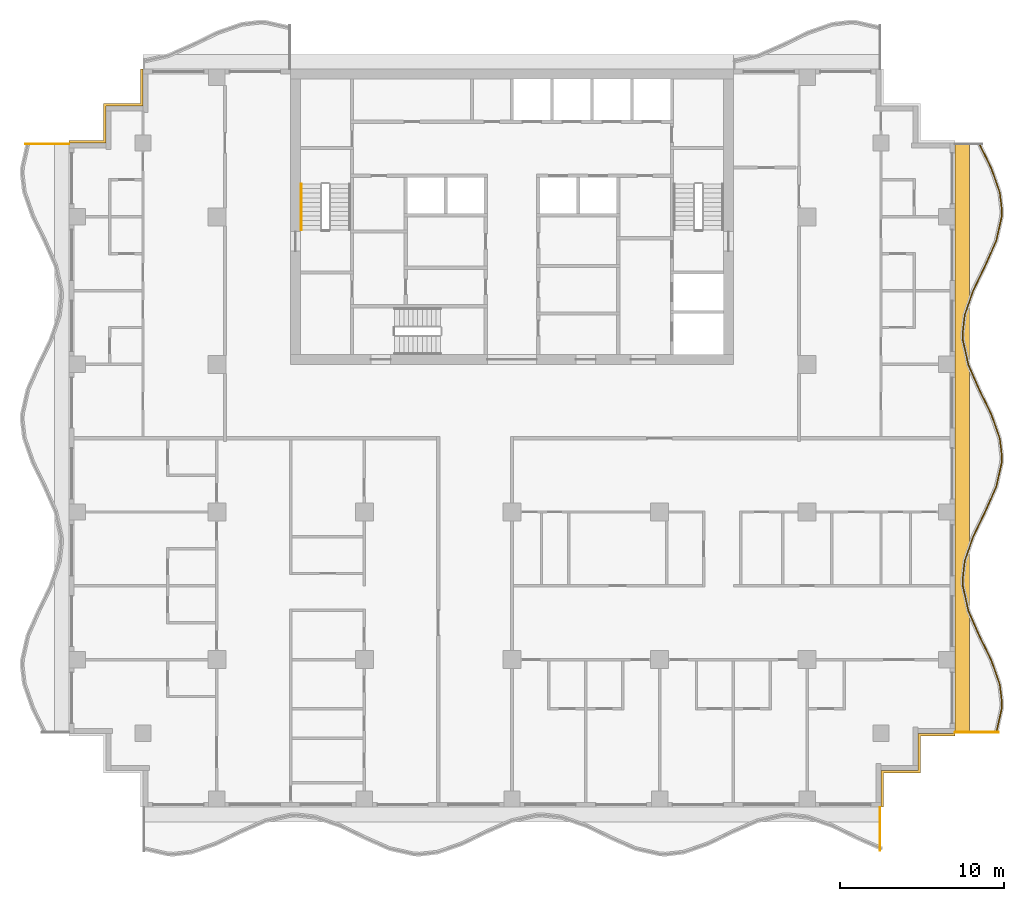
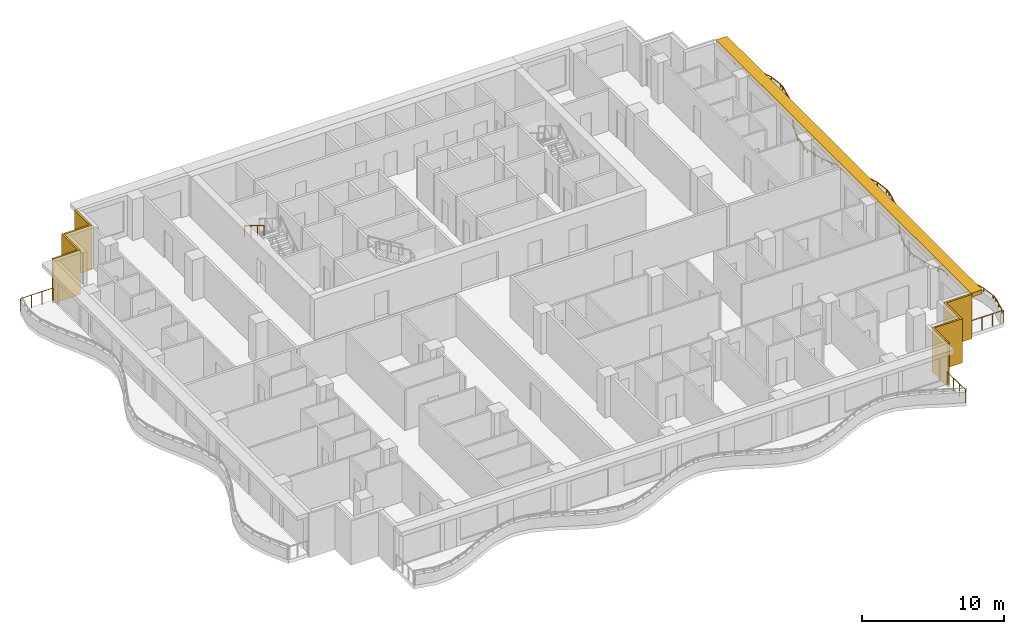
# One storey, part 11 of 12: 5 railings, 3 shading devices.
"""IFC4 building model written with IfcOpenShell, lengths in metres."""

from ifc_helpers import new_model, si_unit, direction, frame, origin, origin_2d, place, context, subcontext, project, spatial, polyline, rectangle, circle, outline, extrude, material, layer, layer_set, type_object, element, save


model = new_model("IFC4")

# Units and contexts
model_context = context("Model", 3, precision=1e-05, world=origin(), true_north=direction((0.0, 1.0)))
body_context = subcontext(model_context, "Body", "Model", "MODEL_VIEW")
ifc_project = project(units=[si_unit("LENGTHUNIT", "METRE"), si_unit("AREAUNIT", "SQUARE_METRE"), si_unit("VOLUMEUNIT", "CUBIC_METRE"), si_unit("PLANEANGLEUNIT", "RADIAN"), si_unit("MASSUNIT", "GRAM", prefix="KILO")], contexts=[model_context])

# Site, building, storey
site_placement = place(None, origin())
site = spatial("IfcSite", under=ifc_project, at=site_placement, CompositionType="ELEMENT")
building_placement = place(site_placement, origin())
building = spatial("IfcBuilding", under=site, at=building_placement, Name="Orbiselva Terraces", CompositionType="ELEMENT")
storey_placement = place(building_placement, frame((0.0, 0.0, 214.8)))
storey = spatial("IfcBuildingStorey", under=building, at=storey_placement, Name="L54", CompositionType="ELEMENT", Elevation=214.8)

# Railings
ifc_material_1 = material(Name="Stainless steel", Category="steel")
railing_type_1 = type_object("IfcRailingType", Name="CORE-HANDRAIL-900", PredefinedType="HANDRAIL", material=ifc_material_1)
railing_1_placement = place(storey_placement, frame((-12.85, 15.5, 2.072727)))
element("IfcRailing", 1, at=railing_1_placement, inside=storey, type_object=railing_type_1, Name="L54 S1 stair handrail 2", PredefinedType="HANDRAIL", context=body_context, shape_type="SweptSolid", body=[
    extrude(circle(Radius=0.024, at=origin_2d()), frame((0.0, 0.0, 0.876), z_axis=(0.0, -0.851088519012, 0.52502222125), x_axis=(1.0, 0.0, 0.0)), (0.0, 0.0, 1.0), 3.289905),
    extrude(circle(Radius=0.021, at=origin_2d()), origin(), (0.0, 0.0, 1.0), 0.852),
    extrude(circle(Radius=0.021, at=origin_2d()), frame((0.0, -0.933333, 0.575758)), (0.0, 0.0, 1.0), 0.852),
    extrude(circle(Radius=0.021, at=origin_2d()), frame((0.0, -1.866667, 1.151515)), (0.0, 0.0, 1.0), 0.852),
    extrude(circle(Radius=0.021, at=origin_2d()), frame((0.0, -2.8, 1.727273)), (0.0, 0.0, 1.0), 0.852),
])
ifc_material_2 = material(Name="Bonded two-ply safety glass balustrade, stainless steel posts", Category="steel")
railing_type_2 = type_object("IfcRailingType", Name="ENV-BALUSTRADE-1200", PredefinedType="BALUSTRADE", material=ifc_material_2)
railing_2_placement = place(storey_placement, frame((29.526563, -17.972623, 0.9)))
element("IfcRailing", 2, at=railing_2_placement, inside=storey, type_object=railing_type_2, Name="Balcony balustrade L54 E", PredefinedType="BALUSTRADE", context=body_context, shape_type="SweptSolid", body=[
    extrude(outline(polyline([(0.028868, 0.0), (0.014434, 0.025), (-0.014434, 0.025), (-0.028868, 0.0), (-0.014434, -0.025), (0.014434, -0.025), (0.028868, 0.0)])), frame((0.0, 0.0, 0.275), z_axis=(0.21901575501, 0.975721322437, 0.0), x_axis=(-0.975721322437, 0.21901575501, 0.0)), (0.0, 0.0, 1.0), 1.525954),
    extrude(outline(polyline([(0.028868, 0.0), (0.014434, 0.025), (-0.014434, 0.025), (-0.028868, 0.0), (-0.014434, -0.025), (0.014434, -0.025), (0.028868, 0.0)])), frame((0.334208, 1.488906, 0.275), z_axis=(0.039364150694, 0.999224931454, 0.0), x_axis=(-0.999224931454, 0.039364150694, 0.0)), (0.0, 0.0, 1.0), 0.354206),
    extrude(outline(polyline([(0.028868, 0.0), (0.014434, 0.025), (-0.014434, 0.025), (-0.028868, 0.0), (-0.014434, -0.025), (0.014434, -0.025), (0.028868, 0.0)])), frame((0.348151, 1.842837, 0.275), z_axis=(-0.115481264762, 0.993309658409, 0.0), x_axis=(-0.993309658409, -0.115481264762, 0.0)), (0.0, 0.0, 1.0), 1.10902),
    extrude(outline(polyline([(0.028868, 0.0), (0.014434, 0.025), (-0.014434, 0.025), (-0.028868, 0.0), (-0.014434, -0.025), (0.014434, -0.025), (0.028868, 0.0)])), frame((0.22008, 2.944437, 0.275), z_axis=(-0.330024754707, 0.943972277814, 0.0), x_axis=(-0.943972277814, -0.330024754707, 0.0)), (0.0, 0.0, 1.0), 1.567807),
    extrude(outline(polyline([(0.028868, 0.0), (0.014434, 0.025), (-0.014434, 0.025), (-0.028868, 0.0), (-0.014434, -0.025), (0.014434, -0.025), (0.028868, 0.0)])), frame((-0.297335, 4.424403, 0.275), z_axis=(-0.438811978768, 0.89857890432, 0.0), x_axis=(-0.89857890432, -0.438811978768, 0.0)), (0.0, 0.0, 1.0), 1.66438),
    extrude(outline(polyline([(0.028868, 0.0), (0.014434, 0.025), (-0.014434, 0.025), (-0.028868, 0.0), (-0.014434, -0.025), (0.014434, -0.025), (0.028868, 0.0)])), frame((-1.027685, 5.91998, 0.275), z_axis=(-0.403150874148, 0.915133527237, 0.0), x_axis=(-0.915133527237, -0.403150874148, 0.0)), (0.0, 0.0, 1.0), 1.653736),
    extrude(outline(polyline([(0.028868, 0.0), (0.014434, 0.025), (-0.014434, 0.025), (-0.028868, 0.0), (-0.014434, -0.025), (0.014434, -0.025), (0.028868, 0.0)])), frame((-1.69439, 7.433369, 0.275), z_axis=(-0.219015500924, 0.97572137947, 0.0), x_axis=(-0.97572137947, -0.219015500924, 0.0)), (0.0, 0.0, 1.0), 1.560867),
    extrude(outline(polyline([(0.028868, 0.0), (0.014434, 0.025), (-0.014434, 0.025), (-0.028868, 0.0), (-0.014434, -0.025), (0.014434, -0.025), (0.028868, 0.0)])), frame((-2.036244, 8.95634, 0.275), z_axis=(-0.03936915532, 0.999224734286, 0.0), x_axis=(-0.999224734286, -0.03936915532, 0.0)), (0.0, 0.0, 1.0), 0.396376),
    extrude(outline(polyline([(0.028868, 0.0), (0.014434, 0.025), (-0.014434, 0.025), (-0.028868, 0.0), (-0.014434, -0.025), (0.014434, -0.025), (0.028868, 0.0)])), frame((-2.051849, 9.352409, 0.275), z_axis=(0.115482182324, 0.993309551734, 0.0), x_axis=(-0.993309551734, 0.115482182324, 0.0)), (0.0, 0.0, 1.0), 1.156135),
    extrude(outline(polyline([(0.028868, 0.0), (0.014434, 0.025), (-0.014434, 0.025), (-0.028868, 0.0), (-0.014434, -0.025), (0.014434, -0.025), (0.028868, 0.0)])), frame((-1.918336, 10.500809, 0.275), z_axis=(0.330024597479, 0.943972332783, 0.0), x_axis=(-0.943972332783, 0.330024597479, 0.0)), (0.0, 0.0, 1.0), 1.610253),
    extrude(outline(polyline([(0.028868, 0.0), (0.014434, 0.025), (-0.014434, 0.025), (-0.028868, 0.0), (-0.014434, -0.025), (0.014434, -0.025), (0.028868, 0.0)])), frame((-1.386913, 12.020843, 0.275), z_axis=(0.438812048596, 0.898578870221, 0.0), x_axis=(-0.898578870221, 0.438812048596, 0.0)), (0.0, 0.0, 1.0), 1.674225),
    extrude(outline(polyline([(0.028868, 0.0), (0.014434, 0.025), (-0.014434, 0.025), (-0.028868, 0.0), (-0.014434, -0.025), (0.014434, -0.025), (0.028868, 0.0)])), frame((-0.652243, 13.525266, 0.275), z_axis=(0.403151245402, 0.915133363686, 0.0), x_axis=(-0.915133363686, 0.403151245402, 0.0)), (0.0, 0.0, 1.0), 1.624475),
    extrude(outline(polyline([(0.028868, 0.0), (0.014434, 0.025), (-0.014434, 0.025), (-0.028868, 0.0), (-0.014434, -0.025), (0.014434, -0.025), (0.028868, 0.0)])), frame((0.002666, 15.011877, 0.275), z_axis=(0.219015740235, 0.975721325753, 0.0), x_axis=(-0.975721325753, 0.219015740235, 0.0)), (0.0, 0.0, 1.0), 1.513782),
    extrude(outline(polyline([(0.028868, 0.0), (0.014434, 0.025), (-0.014434, 0.025), (-0.028868, 0.0), (-0.014434, -0.025), (0.014434, -0.025), (0.028868, 0.0)])), frame((0.334208, 16.488906, 0.275), z_axis=(0.039364150694, 0.999224931454, 0.0), x_axis=(-0.999224931454, 0.039364150694, 0.0)), (0.0, 0.0, 1.0), 0.354206),
    extrude(outline(polyline([(0.028868, 0.0), (0.014434, 0.025), (-0.014434, 0.025), (-0.028868, 0.0), (-0.014434, -0.025), (0.014434, -0.025), (0.028868, 0.0)])), frame((0.348151, 16.842837, 0.275), z_axis=(-0.115481264762, 0.993309658409, 0.0), x_axis=(-0.993309658409, -0.115481264762, 0.0)), (0.0, 0.0, 1.0), 1.10902),
    extrude(outline(polyline([(0.028868, 0.0), (0.014434, 0.025), (-0.014434, 0.025), (-0.028868, 0.0), (-0.014434, -0.025), (0.014434, -0.025), (0.028868, 0.0)])), frame((0.22008, 17.944437, 0.275), z_axis=(-0.330024754707, 0.943972277814, 0.0), x_axis=(-0.943972277814, -0.330024754707, 0.0)), (0.0, 0.0, 1.0), 1.567807),
    extrude(outline(polyline([(0.028868, 0.0), (0.014434, 0.025), (-0.014434, 0.025), (-0.028868, 0.0), (-0.014434, -0.025), (0.014434, -0.025), (0.028868, 0.0)])), frame((-0.297335, 19.424403, 0.275), z_axis=(-0.438811978768, 0.89857890432, 0.0), x_axis=(-0.89857890432, -0.438811978768, 0.0)), (0.0, 0.0, 1.0), 1.66438),
    extrude(outline(polyline([(0.028868, 0.0), (0.014434, 0.025), (-0.014434, 0.025), (-0.028868, 0.0), (-0.014434, -0.025), (0.014434, -0.025), (0.028868, 0.0)])), frame((-1.027685, 20.91998, 0.275), z_axis=(-0.403150874148, 0.915133527237, 0.0), x_axis=(-0.915133527237, -0.403150874148, 0.0)), (0.0, 0.0, 1.0), 1.653736),
    extrude(outline(polyline([(0.028868, 0.0), (0.014434, 0.025), (-0.014434, 0.025), (-0.028868, 0.0), (-0.014434, -0.025), (0.014434, -0.025), (0.028868, 0.0)])), frame((-1.69439, 22.433369, 0.275), z_axis=(-0.219015500924, 0.97572137947, 0.0), x_axis=(-0.97572137947, -0.219015500924, 0.0)), (0.0, 0.0, 1.0), 1.560867),
    extrude(outline(polyline([(0.028868, 0.0), (0.014434, 0.025), (-0.014434, 0.025), (-0.028868, 0.0), (-0.014434, -0.025), (0.014434, -0.025), (0.028868, 0.0)])), frame((-2.036244, 23.95634, 0.275), z_axis=(-0.03936915532, 0.999224734286, 0.0), x_axis=(-0.999224734286, -0.03936915532, 0.0)), (0.0, 0.0, 1.0), 0.396376),
    extrude(outline(polyline([(0.028868, 0.0), (0.014434, 0.025), (-0.014434, 0.025), (-0.028868, 0.0), (-0.014434, -0.025), (0.014434, -0.025), (0.028868, 0.0)])), frame((-2.051849, 24.352409, 0.275), z_axis=(0.115482182324, 0.993309551734, 0.0), x_axis=(-0.993309551734, 0.115482182324, 0.0)), (0.0, 0.0, 1.0), 1.156135),
    extrude(outline(polyline([(0.028868, 0.0), (0.014434, 0.025), (-0.014434, 0.025), (-0.028868, 0.0), (-0.014434, -0.025), (0.014434, -0.025), (0.028868, 0.0)])), frame((-1.918336, 25.500809, 0.275), z_axis=(0.330024597479, 0.943972332783, 0.0), x_axis=(-0.943972332783, 0.330024597479, 0.0)), (0.0, 0.0, 1.0), 1.610253),
    extrude(outline(polyline([(0.028868, 0.0), (0.014434, 0.025), (-0.014434, 0.025), (-0.028868, 0.0), (-0.014434, -0.025), (0.014434, -0.025), (0.028868, 0.0)])), frame((-1.386913, 27.020843, 0.275), z_axis=(0.438812048596, 0.898578870221, 0.0), x_axis=(-0.898578870221, 0.438812048596, 0.0)), (0.0, 0.0, 1.0), 1.674225),
    extrude(outline(polyline([(0.028868, 0.0), (0.014434, 0.025), (-0.014434, 0.025), (-0.028868, 0.0), (-0.014434, -0.025), (0.014434, -0.025), (0.028868, 0.0)])), frame((-0.652243, 28.525266, 0.275), z_axis=(0.403151245402, 0.915133363686, 0.0), x_axis=(-0.915133363686, 0.403151245402, 0.0)), (0.0, 0.0, 1.0), 1.624475),
    extrude(outline(polyline([(0.028868, 0.0), (0.014434, 0.025), (-0.014434, 0.025), (-0.028868, 0.0), (-0.014434, -0.025), (0.014434, -0.025), (0.028868, 0.0)])), frame((0.002666, 30.011877, 0.275), z_axis=(0.219015740235, 0.975721325753, 0.0), x_axis=(-0.975721325753, 0.219015740235, 0.0)), (0.0, 0.0, 1.0), 1.513782),
    extrude(outline(polyline([(0.028868, 0.0), (0.014434, 0.025), (-0.014434, 0.025), (-0.028868, 0.0), (-0.014434, -0.025), (0.014434, -0.025), (0.028868, 0.0)])), frame((0.334208, 31.488906, 0.275), z_axis=(0.039364150694, 0.999224931454, 0.0), x_axis=(-0.999224931454, 0.039364150694, 0.0)), (0.0, 0.0, 1.0), 0.354206),
    extrude(outline(polyline([(0.028868, 0.0), (0.014434, 0.025), (-0.014434, 0.025), (-0.028868, 0.0), (-0.014434, -0.025), (0.014434, -0.025), (0.028868, 0.0)])), frame((0.348151, 31.842837, 0.275), z_axis=(-0.115481264762, 0.993309658409, 0.0), x_axis=(-0.993309658409, -0.115481264762, 0.0)), (0.0, 0.0, 1.0), 1.10902),
    extrude(outline(polyline([(0.028868, 0.0), (0.014434, 0.025), (-0.014434, 0.025), (-0.028868, 0.0), (-0.014434, -0.025), (0.014434, -0.025), (0.028868, 0.0)])), frame((0.22008, 32.944437, 0.275), z_axis=(-0.330024754707, 0.943972277814, 0.0), x_axis=(-0.943972277814, -0.330024754707, 0.0)), (0.0, 0.0, 1.0), 1.567807),
    extrude(outline(polyline([(0.028868, 0.0), (0.014434, 0.025), (-0.014434, 0.025), (-0.028868, 0.0), (-0.014434, -0.025), (0.014434, -0.025), (0.028868, 0.0)])), frame((-0.297335, 34.424403, 0.275), z_axis=(-0.438811853882, 0.898578965307, 0.0), x_axis=(-0.898578965307, -0.438811853882, 0.0)), (0.0, 0.0, 1.0), 1.661922),
    extrude(rectangle(XDim=0.05, YDim=0.05, at=origin_2d()), origin(), (0.0, 0.0, 1.0), 0.25),
    extrude(rectangle(XDim=0.05, YDim=0.05, at=origin_2d()), frame((0.167104, 0.744453, 0.0)), (0.0, 0.0, 1.0), 0.25),
    extrude(rectangle(XDim=0.05, YDim=0.05, at=origin_2d()), frame((0.334208, 1.488906, 0.0)), (0.0, 0.0, 1.0), 0.25),
    extrude(rectangle(XDim=0.05, YDim=0.05, at=origin_2d()), frame((0.348151, 1.842837, 0.0)), (0.0, 0.0, 1.0), 0.25),
    extrude(rectangle(XDim=0.05, YDim=0.05, at=origin_2d()), frame((0.22008, 2.944437, 0.0)), (0.0, 0.0, 1.0), 0.25),
    extrude(rectangle(XDim=0.05, YDim=0.05, at=origin_2d()), frame((-0.038628, 3.68442, 0.0)), (0.0, 0.0, 1.0), 0.25),
    extrude(rectangle(XDim=0.05, YDim=0.05, at=origin_2d()), frame((-0.297335, 4.424403, 0.0)), (0.0, 0.0, 1.0), 0.25),
    extrude(rectangle(XDim=0.05, YDim=0.05, at=origin_2d()), frame((-0.66251, 5.172191, 0.0)), (0.0, 0.0, 1.0), 0.25),
    extrude(rectangle(XDim=0.05, YDim=0.05, at=origin_2d()), frame((-1.027685, 5.91998, 0.0)), (0.0, 0.0, 1.0), 0.25),
    extrude(rectangle(XDim=0.05, YDim=0.05, at=origin_2d()), frame((-1.361037, 6.676674, 0.0)), (0.0, 0.0, 1.0), 0.25),
    extrude(rectangle(XDim=0.05, YDim=0.05, at=origin_2d()), frame((-1.69439, 7.433369, 0.0)), (0.0, 0.0, 1.0), 0.25),
    extrude(rectangle(XDim=0.05, YDim=0.05, at=origin_2d()), frame((-1.865317, 8.194854, 0.0)), (0.0, 0.0, 1.0), 0.25),
    extrude(rectangle(XDim=0.05, YDim=0.05, at=origin_2d()), frame((-2.036244, 8.95634, 0.0)), (0.0, 0.0, 1.0), 0.25),
    extrude(rectangle(XDim=0.05, YDim=0.05, at=origin_2d()), frame((-2.051849, 9.352409, 0.0)), (0.0, 0.0, 1.0), 0.25),
    extrude(rectangle(XDim=0.05, YDim=0.05, at=origin_2d()), frame((-1.918336, 10.500809, 0.0)), (0.0, 0.0, 1.0), 0.25),
    extrude(rectangle(XDim=0.05, YDim=0.05, at=origin_2d()), frame((-1.652624, 11.260826, 0.0)), (0.0, 0.0, 1.0), 0.25),
    extrude(rectangle(XDim=0.05, YDim=0.05, at=origin_2d()), frame((-1.386913, 12.020843, 0.0)), (0.0, 0.0, 1.0), 0.25),
    extrude(rectangle(XDim=0.05, YDim=0.05, at=origin_2d()), frame((-1.019578, 12.773054, 0.0)), (0.0, 0.0, 1.0), 0.25),
    extrude(rectangle(XDim=0.05, YDim=0.05, at=origin_2d()), frame((-0.652243, 13.525266, 0.0)), (0.0, 0.0, 1.0), 0.25),
    extrude(rectangle(XDim=0.05, YDim=0.05, at=origin_2d()), frame((-0.324788, 14.268571, 0.0)), (0.0, 0.0, 1.0), 0.25),
    extrude(rectangle(XDim=0.05, YDim=0.05, at=origin_2d()), frame((0.002666, 15.011877, 0.0)), (0.0, 0.0, 1.0), 0.25),
    extrude(rectangle(XDim=0.05, YDim=0.05, at=origin_2d()), frame((0.168437, 15.750392, 0.0)), (0.0, 0.0, 1.0), 0.25),
    extrude(rectangle(XDim=0.05, YDim=0.05, at=origin_2d()), frame((0.334208, 16.488906, 0.0)), (0.0, 0.0, 1.0), 0.25),
    extrude(rectangle(XDim=0.05, YDim=0.05, at=origin_2d()), frame((0.348151, 16.842837, 0.0)), (0.0, 0.0, 1.0), 0.25),
    extrude(rectangle(XDim=0.05, YDim=0.05, at=origin_2d()), frame((0.22008, 17.944437, 0.0)), (0.0, 0.0, 1.0), 0.25),
    extrude(rectangle(XDim=0.05, YDim=0.05, at=origin_2d()), frame((-0.038628, 18.68442, 0.0)), (0.0, 0.0, 1.0), 0.25),
    extrude(rectangle(XDim=0.05, YDim=0.05, at=origin_2d()), frame((-0.297335, 19.424403, 0.0)), (0.0, 0.0, 1.0), 0.25),
    extrude(rectangle(XDim=0.05, YDim=0.05, at=origin_2d()), frame((-0.66251, 20.172191, 0.0)), (0.0, 0.0, 1.0), 0.25),
    extrude(rectangle(XDim=0.05, YDim=0.05, at=origin_2d()), frame((-1.027685, 20.91998, 0.0)), (0.0, 0.0, 1.0), 0.25),
    extrude(rectangle(XDim=0.05, YDim=0.05, at=origin_2d()), frame((-1.361037, 21.676674, 0.0)), (0.0, 0.0, 1.0), 0.25),
    extrude(rectangle(XDim=0.05, YDim=0.05, at=origin_2d()), frame((-1.69439, 22.433369, 0.0)), (0.0, 0.0, 1.0), 0.25),
    extrude(rectangle(XDim=0.05, YDim=0.05, at=origin_2d()), frame((-1.865317, 23.194854, 0.0)), (0.0, 0.0, 1.0), 0.25),
    extrude(rectangle(XDim=0.05, YDim=0.05, at=origin_2d()), frame((-2.036244, 23.95634, 0.0)), (0.0, 0.0, 1.0), 0.25),
    extrude(rectangle(XDim=0.05, YDim=0.05, at=origin_2d()), frame((-2.051849, 24.352409, 0.0)), (0.0, 0.0, 1.0), 0.25),
    extrude(rectangle(XDim=0.05, YDim=0.05, at=origin_2d()), frame((-1.918336, 25.500809, 0.0)), (0.0, 0.0, 1.0), 0.25),
    extrude(rectangle(XDim=0.05, YDim=0.05, at=origin_2d()), frame((-1.652624, 26.260826, 0.0)), (0.0, 0.0, 1.0), 0.25),
    extrude(rectangle(XDim=0.05, YDim=0.05, at=origin_2d()), frame((-1.386913, 27.020843, 0.0)), (0.0, 0.0, 1.0), 0.25),
    extrude(rectangle(XDim=0.05, YDim=0.05, at=origin_2d()), frame((-1.019578, 27.773054, 0.0)), (0.0, 0.0, 1.0), 0.25),
    extrude(rectangle(XDim=0.05, YDim=0.05, at=origin_2d()), frame((-0.652243, 28.525266, 0.0)), (0.0, 0.0, 1.0), 0.25),
    extrude(rectangle(XDim=0.05, YDim=0.05, at=origin_2d()), frame((-0.324788, 29.268572, 0.0)), (0.0, 0.0, 1.0), 0.25),
    extrude(rectangle(XDim=0.05, YDim=0.05, at=origin_2d()), frame((0.002666, 30.011877, 0.0)), (0.0, 0.0, 1.0), 0.25),
    extrude(rectangle(XDim=0.05, YDim=0.05, at=origin_2d()), frame((0.168437, 30.750392, 0.0)), (0.0, 0.0, 1.0), 0.25),
    extrude(rectangle(XDim=0.05, YDim=0.05, at=origin_2d()), frame((0.334208, 31.488906, 0.0)), (0.0, 0.0, 1.0), 0.25),
    extrude(rectangle(XDim=0.05, YDim=0.05, at=origin_2d()), frame((0.348151, 31.842837, 0.0)), (0.0, 0.0, 1.0), 0.25),
    extrude(rectangle(XDim=0.05, YDim=0.05, at=origin_2d()), frame((0.22008, 32.944437, 0.0)), (0.0, 0.0, 1.0), 0.25),
    extrude(rectangle(XDim=0.05, YDim=0.05, at=origin_2d()), frame((-0.038628, 33.68442, 0.0)), (0.0, 0.0, 1.0), 0.25),
    extrude(rectangle(XDim=0.05, YDim=0.05, at=origin_2d()), frame((-0.297335, 34.424403, 0.0)), (0.0, 0.0, 1.0), 0.25),
    extrude(rectangle(XDim=0.05, YDim=0.05, at=origin_2d()), frame((-0.661971, 35.171087, 0.0)), (0.0, 0.0, 1.0), 0.25),
    extrude(rectangle(XDim=0.05, YDim=0.05, at=origin_2d()), frame((-1.026606, 35.917771, 0.0)), (0.0, 0.0, 1.0), 0.25),
])
ifc_material_3 = material(Name="Stainless steel rail and posts", Category="steel")
railing_type_3 = type_object("IfcRailingType", Name="ENV-GUARD-1105", PredefinedType="BALUSTRADE", material=ifc_material_3)
railing_3_placement = place(storey_placement, frame((22.44, -25.126937, 0.0)))
element("IfcRailing", 3, at=railing_3_placement, inside=storey, type_object=railing_type_3, Name="Balcony end guard L54 S", PredefinedType="BALUSTRADE", context=body_context, shape_type="SweptSolid", body=[
    extrude(outline(polyline([(0.028868, 0.0), (0.014434, 0.025), (-0.014434, 0.025), (-0.028868, 0.0), (-0.014434, -0.025), (0.014434, -0.025), (0.028868, 0.0)])), frame((0.0, 0.0, 1.08), z_axis=(0.0, 1.0, 0.0), x_axis=(-1.0, 0.0, 0.0)), (0.0, 0.0, 1.0), 2.601937),
    extrude(rectangle(XDim=0.05, YDim=0.05, at=origin_2d()), origin(), (0.0, 0.0, 1.0), 1.055),
    extrude(rectangle(XDim=0.05, YDim=0.05, at=origin_2d()), frame((0.0, 0.867312, 0.0)), (0.0, 0.0, 1.0), 1.055),
    extrude(rectangle(XDim=0.05, YDim=0.05, at=origin_2d()), frame((0.0, 1.734625, 0.0)), (0.0, 0.0, 1.0), 1.055),
    extrude(rectangle(XDim=0.05, YDim=0.05, at=origin_2d()), frame((0.0, 2.601937, 0.0)), (0.0, 0.0, 1.0), 1.055),
])
railing_4_placement = place(storey_placement, frame((29.669584, -17.94, 0.0)))
element("IfcRailing", 4, at=railing_4_placement, inside=storey, type_object=railing_type_3, Name="Balcony end guard L54 E", PredefinedType="BALUSTRADE", context=body_context, shape_type="SweptSolid", body=[
    extrude(outline(polyline([(0.028868, 0.0), (0.014434, 0.025), (-0.014434, 0.025), (-0.028868, 0.0), (-0.014434, -0.025), (0.014434, -0.025), (0.028868, 0.0)])), frame((0.0, 0.0, 1.08), z_axis=(-1.0, 0.0, 0.0), x_axis=(0.0, -1.0, 0.0)), (0.0, 0.0, 1.0), 2.644584),
    extrude(rectangle(XDim=0.05, YDim=0.05, at=origin_2d()), origin(), (0.0, 0.0, 1.0), 1.055),
    extrude(rectangle(XDim=0.05, YDim=0.05, at=origin_2d()), frame((-0.881528, 0.0, 0.0)), (0.0, 0.0, 1.0), 1.055),
    extrude(rectangle(XDim=0.05, YDim=0.05, at=origin_2d()), frame((-1.763056, 0.0, 0.0)), (0.0, 0.0, 1.0), 1.055),
    extrude(rectangle(XDim=0.05, YDim=0.05, at=origin_2d()), frame((-2.644584, 0.0, 0.0)), (0.0, 0.0, 1.0), 1.055),
])
railing_5_placement = place(storey_placement, frame((-29.669584, 17.94, 0.0)))
element("IfcRailing", 5, at=railing_5_placement, inside=storey, type_object=railing_type_3, Name="Balcony end guard L54 W", PredefinedType="BALUSTRADE", context=body_context, shape_type="SweptSolid", body=[
    extrude(outline(polyline([(0.028868, 0.0), (0.014434, 0.025), (-0.014434, 0.025), (-0.028868, 0.0), (-0.014434, -0.025), (0.014434, -0.025), (0.028868, 0.0)])), frame((0.0, 0.0, 1.08), z_axis=(1.0, 0.0, 0.0), x_axis=(0.0, 1.0, 0.0)), (0.0, 0.0, 1.0), 2.644584),
    extrude(rectangle(XDim=0.05, YDim=0.05, at=origin_2d()), origin(), (0.0, 0.0, 1.0), 1.055),
    extrude(rectangle(XDim=0.05, YDim=0.05, at=origin_2d()), frame((0.881528, 0.0, 0.0)), (0.0, 0.0, 1.0), 1.055),
    extrude(rectangle(XDim=0.05, YDim=0.05, at=origin_2d()), frame((1.763056, 0.0, 0.0)), (0.0, 0.0, 1.0), 1.055),
    extrude(rectangle(XDim=0.05, YDim=0.05, at=origin_2d()), frame((2.644584, 0.0, 0.0)), (0.0, 0.0, 1.0), 1.055),
])

# Shading devices
ifc_material_4 = material(Name="Terracotta louvre screen", Category="masonry")
ifc_layer_1 = layer(ifc_material_4, 0.15)
ifc_layer_set_1 = layer_set([ifc_layer_1], Name="Terracotta louvre screen")
shading_device_type_1 = type_object("IfcShadingDeviceType", Name="ENV-SCREEN-150", PredefinedType="USERDEFINED", material=ifc_layer_set_1)
shading_device_1_placement = place(storey_placement, frame((0.0, 0.0, -0.3)))
element("IfcShadingDevice", 6, at=shading_device_1_placement, inside=storey, type_object=shading_device_type_1, Name="Louvre screen L54 NW", ObjectType="SCREEN", PredefinedType="USERDEFINED", context=body_context, shape_type="SweptSolid", body=[
    extrude(outline(polyline([(-22.65, 22.5), (-22.65, 20.4), (-24.9, 20.4), (-24.9, 18.15), (-27.0, 18.15), (-27.0, 18.0), (-24.75, 18.0), (-24.75, 20.25), (-22.5, 20.25), (-22.5, 22.5), (-22.65, 22.5)])), origin(), (0.0, 0.0, 1.0), 3.8),
])
shading_device_2_placement = place(storey_placement, frame((0.0, 0.0, -0.3)))
element("IfcShadingDevice", 7, at=shading_device_2_placement, inside=storey, type_object=shading_device_type_1, Name="Louvre screen L54 SE", ObjectType="SCREEN", PredefinedType="USERDEFINED", context=body_context, shape_type="SweptSolid", body=[
    extrude(outline(polyline([(22.65, -22.5), (22.65, -20.4), (24.9, -20.4), (24.9, -18.15), (27.0, -18.15), (27.0, -18.0), (24.75, -18.0), (24.75, -20.25), (22.5, -20.25), (22.5, -22.5), (22.65, -22.5)])), origin(), (0.0, 0.0, 1.0), 3.8),
])
ifc_material_5 = material(Name="Terracotta baguette sunshade", Category="masonry")
ifc_layer_2 = layer(ifc_material_5, 0.35)
ifc_layer_set_2 = layer_set([ifc_layer_2], Name="Terracotta baguette sunshade")
shading_device_type_2 = type_object("IfcShadingDeviceType", Name="ENV-SUNSHADE-900x350", PredefinedType="USERDEFINED", material=ifc_layer_set_2)
shading_device_3_placement = place(storey_placement, frame((0.0, 0.0, 3.15)))
element("IfcShadingDevice", 8, at=shading_device_3_placement, inside=storey, type_object=shading_device_type_2, Name="Sunshade band L54 E", ObjectType="SUNSHADE", PredefinedType="USERDEFINED", context=body_context, shape_type="SweptSolid", body=[
    extrude(outline(polyline([(27.9, -18.0), (27.9, 18.0), (27.0, 18.0), (27.0, -18.0), (27.9, -18.0)])), origin(), (0.0, 0.0, 1.0), 0.35),
])

save(model, "model.ifc")
